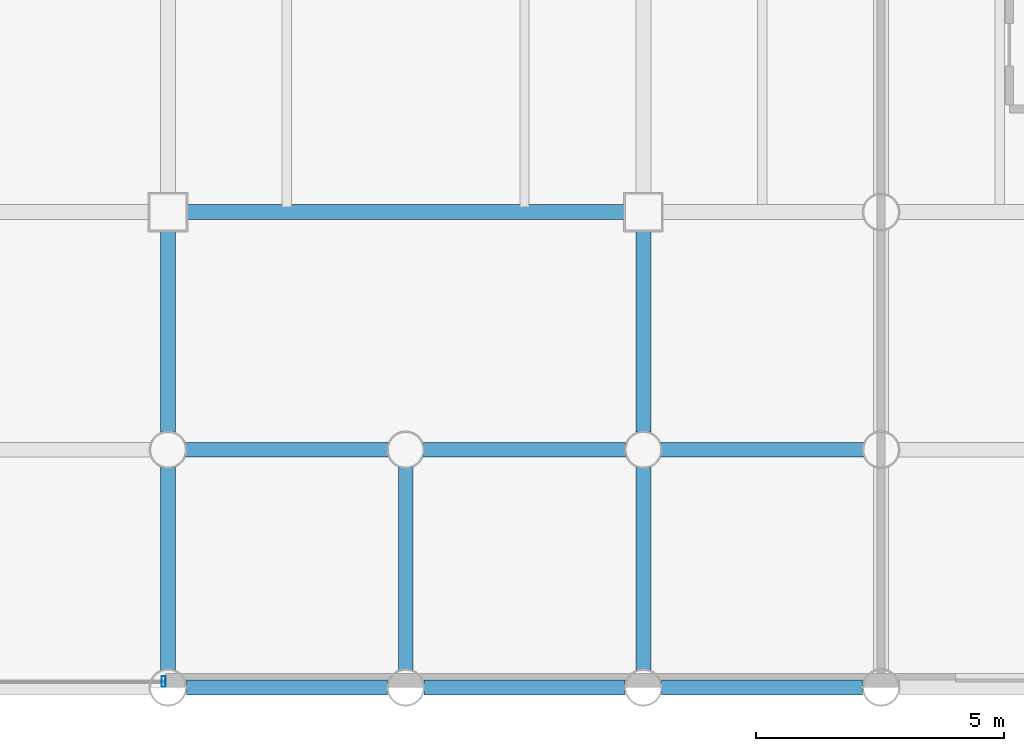
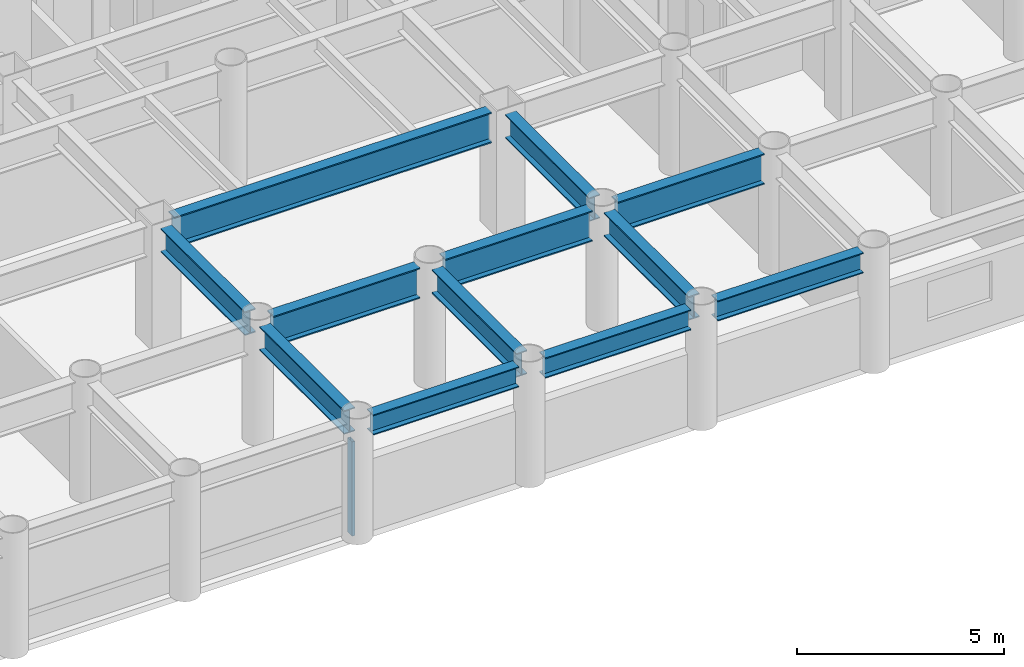
# One storey, part 6 of 19: 12 beams, 1 member, 1 element without a shape of its own.
"""IFC4 building model written with IfcOpenShell, lengths in metres."""

from ifc_helpers import new_model, si_unit, direction, frame, origin, origin_2d, place, context, subcontext, project, spatial, hollow_rectangle, i_section, extrude, material, layer, layer_set, material_profile, profile_set, type_object, element, aggregate, save


model = new_model("IFC4")

# Units and contexts
model_context = context("Model", 3, precision=1e-05, world=origin(), true_north=direction((0.0, 1.0)))
body_context = subcontext(model_context, "Body", "Model", "MODEL_VIEW")
ifc_project = project(units=[si_unit("LENGTHUNIT", "METRE"), si_unit("AREAUNIT", "SQUARE_METRE"), si_unit("VOLUMEUNIT", "CUBIC_METRE"), si_unit("PLANEANGLEUNIT", "RADIAN"), si_unit("MASSUNIT", "GRAM", prefix="KILO")], contexts=[model_context])

# Site, building, storey
site_placement = place(None, origin())
site = spatial("IfcSite", under=ifc_project, at=site_placement, CompositionType="ELEMENT")
building_placement = place(site_placement, origin())
building = spatial("IfcBuilding", under=site, at=building_placement, Name="Kallvorn Hotel Tower", CompositionType="ELEMENT")
storey_placement = place(building_placement, frame((0.0, 0.0, 67.0)))
storey = spatial("IfcBuildingStorey", under=building, at=storey_placement, Name="L15", CompositionType="ELEMENT", Elevation=67.0)

# Beams
ifc_material_1 = material(Name="Structural steel S355JR", Category="steel")
ifc_material_profile_1 = material_profile(ifc_material_1, i_section(OverallWidth=0.300048828125, OverallDepth=0.60009765625, WebThickness=0.015380859375, FlangeThickness=0.030029296875, at=origin_2d()), Name="HE 600 B")
ifc_profile_set_1 = profile_set([ifc_material_profile_1], Name="Structural steel S355JR")
beam_type_1 = type_object("IfcBeamType", Name="BM_HE600B", PredefinedType="SPANDREL", material=ifc_profile_set_1)
for number, where, z_axis, x_axis, name in (
    (1, (5.1708984375, -24.0, 3.219970703125), (1.0, 0.0, 0.0), (0.0, 1.0, 0.0), "L16 Perimeter Spandrel 157"),
    (2, (9.970947265625, -24.0, 3.219970703125), (1.0, 0.0, 0.0), (0.0, 1.0, 0.0), "L16 Perimeter Spandrel 158"),
    (3, (14.77099609375, -24.0, 3.219970703125), (1.0, 0.0, 0.0), (0.0, 1.0, 0.0), "L16 Perimeter Spandrel 159"),
):
    element("IfcBeam", number, at=place(storey_placement, frame(where, z_axis=z_axis, x_axis=x_axis)), inside=storey, type_object=beam_type_1, Name=name, PredefinedType="SPANDREL", context=body_context, shape_type="SweptSolid", body=[
        extrude(i_section(OverallWidth=0.300048828125, OverallDepth=0.60009765625, WebThickness=0.015380859375, FlangeThickness=0.030029296875, at=origin_2d()), origin(), (0.0, 0.0, 1.0), 4.05810546875),
    ])
ifc_material_2 = material(Name="Structural steel S355JR", Category="steel")
ifc_material_profile_2 = material_profile(ifc_material_2, i_section(OverallWidth=0.300048828125, OverallDepth=0.699951171875, WebThickness=0.01708984375, FlangeThickness=0.031982421875, at=origin_2d()), Name="HE 700 B")
ifc_profile_set_2 = profile_set([ifc_material_profile_2], Name="Structural steel S355JR")
beam_type_2 = type_object("IfcBeamType", Name="BM_HE700B", PredefinedType="BEAM", material=ifc_profile_set_2)
beam_1_placement = place(storey_placement, frame((4.800048828125, -23.64404296875, 3.169921875), z_axis=(0.0, 1.0, 0.0), x_axis=(-1.0, 0.0, 0.0)))
element("IfcBeam", 4, at=beam_1_placement, inside=storey, type_object=beam_type_2, Name="L16 Primary Y-Girder 113", PredefinedType="BEAM", context=body_context, shape_type="SweptSolid", body=[
    extrude(i_section(OverallWidth=0.300048828125, OverallDepth=0.699951171875, WebThickness=0.01708984375, FlangeThickness=0.031982421875, at=origin_2d()), origin(), (0.0, 0.0, 1.0), 4.088134765625),
])
beam_2_placement = place(storey_placement, frame((4.800048828125, -18.843994140625, 3.169921875), z_axis=(0.0, 1.0, 0.0), x_axis=(-1.0, 0.0, 0.0)))
element("IfcBeam", 5, at=beam_2_placement, inside=storey, type_object=beam_type_2, Name="L16 Primary Y-Girder 114", PredefinedType="BEAM", context=body_context, shape_type="SweptSolid", body=[
    extrude(i_section(OverallWidth=0.300048828125, OverallDepth=0.699951171875, WebThickness=0.01708984375, FlangeThickness=0.031982421875, at=origin_2d()), origin(), (0.0, 0.0, 1.0), 4.069091796875),
])
for number, where, z_axis, x_axis, name in (
    (6, (9.60009765625, -23.64404296875, 3.169921875), (0.0, 1.0, 0.0), (-1.0, 0.0, 0.0), "L16 Primary Y-Girder 118"),
    (7, (14.39990234375, -23.64404296875, 3.169921875), (0.0, 1.0, 0.0), (-1.0, 0.0, 0.0), "L16 Primary Y-Girder 121"),
):
    element("IfcBeam", number, at=place(storey_placement, frame(where, z_axis=z_axis, x_axis=x_axis)), inside=storey, type_object=beam_type_2, Name=name, PredefinedType="BEAM", context=body_context, shape_type="SweptSolid", body=[
        extrude(i_section(OverallWidth=0.300048828125, OverallDepth=0.699951171875, WebThickness=0.01708984375, FlangeThickness=0.031982421875, at=origin_2d()), origin(), (0.0, 0.0, 1.0), 4.088134765625),
    ])
beam_3_placement = place(storey_placement, frame((14.39990234375, -18.843994140625, 3.169921875), z_axis=(0.0, 1.0, 0.0), x_axis=(-1.0, 0.0, 0.0)))
element("IfcBeam", 8, at=beam_3_placement, inside=storey, type_object=beam_type_2, Name="L16 Primary Y-Girder 122", PredefinedType="BEAM", context=body_context, shape_type="SweptSolid", body=[
    extrude(i_section(OverallWidth=0.300048828125, OverallDepth=0.699951171875, WebThickness=0.01708984375, FlangeThickness=0.031982421875, at=origin_2d()), origin(), (0.0, 0.0, 1.0), 4.069091796875),
])
ifc_material_3 = material(Name="Structural steel S355JR", Category="steel")
ifc_material_profile_3 = material_profile(ifc_material_3, i_section(OverallWidth=0.300048828125, OverallDepth=0.89990234375, WebThickness=0.0185546875, FlangeThickness=0.034912109375, at=origin_2d()), Name="HE 900 B")
ifc_profile_set_3 = profile_set([ifc_material_profile_3], Name="Structural steel S355JR")
beam_type_3 = type_object("IfcBeamType", Name="BM_HE900B", PredefinedType="BEAM", material=ifc_profile_set_3)
for number, where, z_axis, x_axis, name in (
    (9, (5.156005859375, -19.199951171875, 3.070068359375), (1.0, 0.0, 0.0), (0.0, 1.0, 0.0), "L16 Primary X-Girder 08"),
    (10, (9.9560546875, -19.199951171875, 3.070068359375), (1.0, 0.0, 0.0), (0.0, 1.0, 0.0), "L16 Primary X-Girder 09"),
    (11, (14.756103515625, -19.199951171875, 3.070068359375), (1.0, 0.0, 0.0), (0.0, 1.0, 0.0), "L16 Primary X-Girder 10"),
):
    element("IfcBeam", number, at=place(storey_placement, frame(where, z_axis=z_axis, x_axis=x_axis)), inside=storey, type_object=beam_type_3, Name=name, PredefinedType="BEAM", context=body_context, shape_type="SweptSolid", body=[
        extrude(i_section(OverallWidth=0.300048828125, OverallDepth=0.89990234375, WebThickness=0.0185546875, FlangeThickness=0.034912109375, at=origin_2d()), origin(), (0.0, 0.0, 1.0), 4.087890625),
    ])
beam_4_placement = place(storey_placement, frame((5.175048828125, -14.39990234375, 3.070068359375), z_axis=(1.0, 0.0, 0.0), x_axis=(0.0, 1.0, 0.0)))
element("IfcBeam", 12, at=beam_4_placement, inside=storey, type_object=beam_type_3, Name="L16 Primary X-Girder 19", PredefinedType="BEAM", context=body_context, shape_type="SweptSolid", body=[
    extrude(i_section(OverallWidth=0.300048828125, OverallDepth=0.89990234375, WebThickness=0.0185546875, FlangeThickness=0.034912109375, at=origin_2d()), origin(), (0.0, 0.0, 1.0), 8.849853515625),
])

# Curtain wall, member
ifc_material_4 = material(Name="Thermally broken black-anodised aluminium AA 6063-T6", Category="aluminium")
ifc_layer = layer(ifc_material_4, 0.199951171875)
ifc_layer_set = layer_set([ifc_layer], Name="CW_SYS_3_HOTEL_LOW")
curtain_wall_type = type_object("IfcCurtainWallType", Name="CW_SYS_3_HOTEL_LOW", PredefinedType="USERDEFINED", material=ifc_layer_set)
curtain_wall_placement = place(storey_placement, origin())
curtain_wall = element("IfcCurtainWall", 13, at=curtain_wall_placement, inside=storey, type_object=curtain_wall_type, Name="L15 Dark-Glass Curtain Wall CW-L15-SC", ObjectType="UNITISED CURTAIN WALL", PredefinedType="USERDEFINED")
ifc_material_5 = material(Name="Thermally broken black-anodised aluminium AA 6063-T6", Category="aluminium")
ifc_material_profile_4 = material_profile(ifc_material_5, hollow_rectangle(XDim=0.080078125, YDim=0.219970703125, WallThickness=0.0048828125, at=origin_2d()), Name="MUL 220x80")
ifc_profile_set_4 = profile_set([ifc_material_profile_4], Name="Thermally broken black-anodised aluminium AA 6063-T6")
member_type = type_object("IfcMemberType", Name="CW_MULLION_220x80", PredefinedType="MULLION", material=ifc_profile_set_4)
member_placement = place(storey_placement, frame((4.7099609375, -23.8798828125, 0.02001953125), z_axis=(0.0, 0.0, 1.0), x_axis=(1.0, 0.0, 0.0)))
member = element("IfcMember", 14, at=member_placement, type_object=member_type, Name="CW-L15-SC Mullion 02", PredefinedType="MULLION", context=body_context, shape_type="SweptSolid", body=[
    extrude(hollow_rectangle(XDim=0.080078125, YDim=0.219970703125, WallThickness=0.0048828125, at=origin_2d()), origin(), (0.0, 0.0, 1.0), 2.780029296875),
])
aggregate(curtain_wall, [member])

save(model, "model.ifc")
